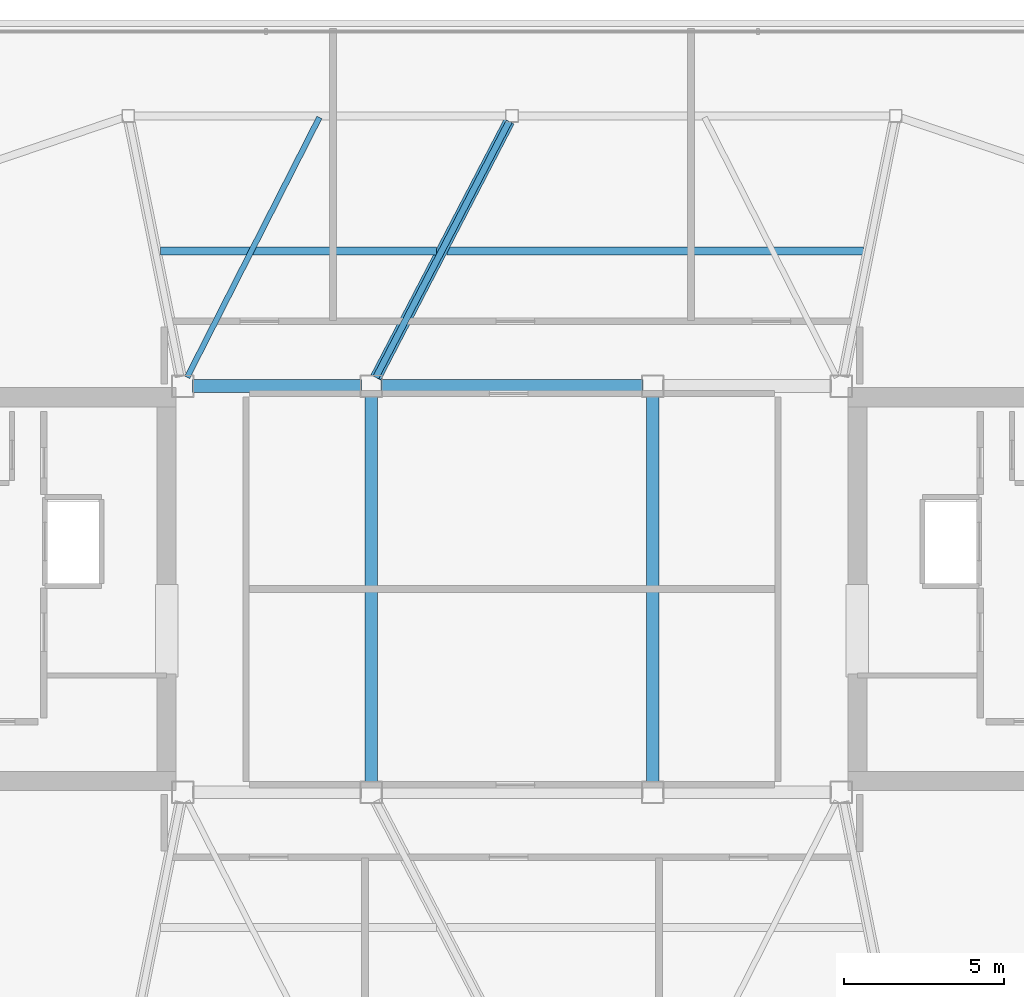
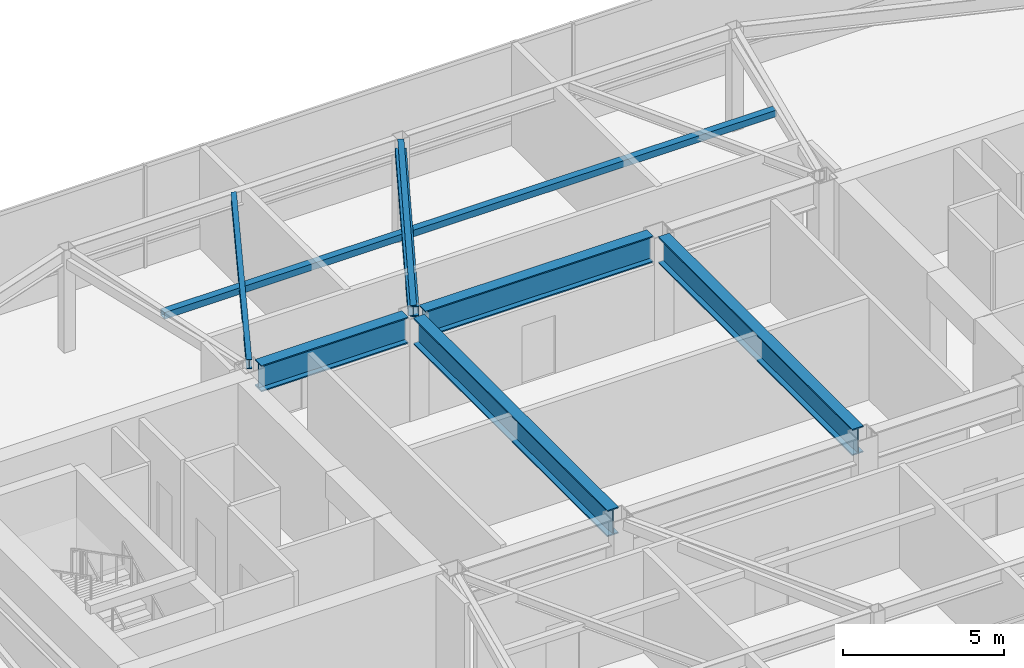
# One storey, part 8 of 22: 6 beams, 3 members.
"""IFC4 building model written with IfcOpenShell, lengths in metres."""

from ifc_helpers import new_model, si_unit, direction, frame, origin, origin_2d, place, context, subcontext, project, spatial, hollow_rectangle, i_section, extrude, material, material_profile, profile_set, type_object, element, save


model = new_model("IFC4")

# Units and contexts
model_context = context("Model", 3, precision=1e-05, world=origin(), true_north=direction((0.0, 1.0)))
body_context = subcontext(model_context, "Body", "Model", "MODEL_VIEW")
ifc_project = project(units=[si_unit("LENGTHUNIT", "METRE"), si_unit("AREAUNIT", "SQUARE_METRE"), si_unit("VOLUMEUNIT", "CUBIC_METRE"), si_unit("PLANEANGLEUNIT", "RADIAN"), si_unit("MASSUNIT", "GRAM", prefix="KILO")], contexts=[model_context])

# Site, building, storey
site_placement = place(None, origin())
site = spatial("IfcSite", under=ifc_project, at=site_placement, CompositionType="ELEMENT")
building_placement = place(site_placement, origin())
building = spatial("IfcBuilding", under=site, at=building_placement, Name="Tavrogorsk Clinical Tower", CompositionType="ELEMENT")
storey_placement = place(building_placement, frame((0.0, 0.0, 352.800048828125)))
storey = spatial("IfcBuildingStorey", under=building, at=storey_placement, Name="L82", CompositionType="ELEMENT", Elevation=352.800048828125)

# Members
ifc_material_1 = material(Name="Structural steel S355", Category="steel")
ifc_material_profile_1 = material_profile(ifc_material_1, hollow_rectangle(XDim=0.25, YDim=0.25, WallThickness=0.012451171875, at=origin_2d()), Name="SHS-250x250x12.5")
ifc_profile_set_1 = profile_set([ifc_material_profile_1], Name="Structural steel S355")
member_type_1 = type_object("IfcMemberType", Name="CrownFacetPurlin_SHS250", PredefinedType="PURLIN", material=ifc_profile_set_1)
member_1_placement = place(storey_placement, frame((-10.989990234375, 10.574951171875, 3.510009765625), z_axis=(1.0, 0.0, 0.0), x_axis=(0.0, 1.0, 0.0)))
element("IfcMember", 1, at=member_1_placement, inside=storey, type_object=member_type_1, Name="L82 Crown Facet Purlin N-1", PredefinedType="PURLIN", context=body_context, shape_type="SweptSolid", body=[
    extrude(hollow_rectangle(XDim=0.25, YDim=0.25, WallThickness=0.012451171875, at=origin_2d()), origin(), (0.0, 0.0, 1.0), 8.6298828125),
])
member_2_placement = place(storey_placement, frame((-2.0400390625, 10.574951171875, 3.510009765625), z_axis=(1.0, 0.0, 0.0), x_axis=(0.0, 1.0, 0.0)))
element("IfcMember", 2, at=member_2_placement, inside=storey, type_object=member_type_1, Name="L82 Crown Facet Purlin N-2", PredefinedType="PURLIN", context=body_context, shape_type="SweptSolid", body=[
    extrude(hollow_rectangle(XDim=0.25, YDim=0.25, WallThickness=0.012451171875, at=origin_2d()), origin(), (0.0, 0.0, 1.0), 13.030029296875),
])
ifc_material_2 = material(Name="Structural steel S390", Category="steel")
ifc_material_profile_2 = material_profile(ifc_material_2, hollow_rectangle(XDim=0.35009765625, YDim=0.35009765625, WallThickness=0.01611328125, at=origin_2d()), Name="SHS-350x350x16")
ifc_profile_set_2 = profile_set([ifc_material_profile_2], Name="Structural steel S390")
member_type_2 = type_object("IfcMemberType", Name="CrownFacetRafter_SHS350", PredefinedType="RAFTER", material=ifc_profile_set_2)
member_3_placement = place(storey_placement, frame((-4.2568359375, 6.624755859375, 3.650146484375), z_axis=(0.461609796576, 0.886524618116, -0.031472165167), x_axis=(-0.886963994611, 0.461838578146, 0.0)))
element("IfcMember", 3, at=member_3_placement, inside=storey, type_object=member_type_2, Name="L82 Sloped Facet Rafter N-2", PredefinedType="RAFTER", context=body_context, shape_type="SweptSolid", body=[
    extrude(hollow_rectangle(XDim=0.35009765625, YDim=0.35009765625, WallThickness=0.01611328125, at=origin_2d()), origin(), (0.0, 0.0, 1.0), 9.021728515625),
])

# Beams
ifc_material_3 = material(Name="Structural steel S355", Category="steel")
ifc_material_profile_3 = material_profile(ifc_material_3, i_section(OverallWidth=0.199951171875, OverallDepth=0.449951171875, WebThickness=0.011474609375, FlangeThickness=0.01806640625, at=origin_2d()), Name="B-450x200x11.5x18")
ifc_profile_set_3 = profile_set([ifc_material_profile_3], Name="Structural steel S355")
beam_type_1 = type_object("IfcBeamType", Name="FloorBeam_B450", PredefinedType="BEAM", material=ifc_profile_set_3)
beam_1_placement = place(storey_placement, frame((-4.2568359375, 6.625, 3.655029296875), z_axis=(0.461855081218, 0.886955401332, 0.0), x_axis=(-0.886955401332, 0.461855081218, 0.0)))
element("IfcBeam", 4, at=beam_1_placement, inside=storey, type_object=beam_type_1, Name="L82 Crown Radial Beam 07", PredefinedType="BEAM", context=body_context, shape_type="SweptSolid", body=[
    extrude(i_section(OverallWidth=0.199951171875, OverallDepth=0.449951171875, WebThickness=0.011474609375, FlangeThickness=0.01806640625, at=origin_2d()), origin(), (0.0, 0.0, 1.0), 9.027099609375),
])
ifc_material_4 = material(Name="Structural steel S355", Category="steel")
ifc_material_profile_4 = material_profile(ifc_material_4, i_section(OverallWidth=0.175048828125, OverallDepth=0.35009765625, WebThickness=0.009521484375, FlangeThickness=0.013916015625, at=origin_2d()), Name="B-350x175x9.5x14")
ifc_profile_set_4 = profile_set([ifc_material_profile_4], Name="Structural steel S355")
beam_type_2 = type_object("IfcBeamType", Name="SecondaryJoist_B350", PredefinedType="JOIST", material=ifc_profile_set_4)
beam_2_placement = place(storey_placement, frame((-10.159423828125, 6.626220703125, 3.704833984375), z_axis=(0.4535299827, 0.891241019474, 0.0), x_axis=(-0.891241019474, 0.4535299827, 0.0)))
element("IfcBeam", 5, at=beam_2_placement, inside=storey, type_object=beam_type_2, Name="L82 Crown Secondary Joist 03", PredefinedType="JOIST", context=body_context, shape_type="SweptSolid", body=[
    extrude(i_section(OverallWidth=0.175048828125, OverallDepth=0.35009765625, WebThickness=0.009521484375, FlangeThickness=0.013916015625, at=origin_2d()), origin(), (0.0, 0.0, 1.0), 9.12109375),
])
ifc_material_5 = material(Name="Structural steel S440", Category="steel")
ifc_material_profile_5 = material_profile(ifc_material_5, i_section(OverallWidth=0.39990234375, OverallDepth=1.0, WebThickness=0.028076171875, FlangeThickness=0.044921875, at=origin_2d()), Name="DK-1000x400x28x45")
ifc_profile_set_5 = profile_set([ifc_material_profile_5], Name="Structural steel S440")
beam_type_3 = type_object("IfcBeamType", Name="TransferGirder_DK1000", PredefinedType="USERDEFINED", material=ifc_profile_set_5)
beam_3_placement = place(storey_placement, frame((-9.989990234375, 6.35009765625, 3.3798828125), z_axis=(1.0, 0.0, 0.0), x_axis=(0.0, 1.0, 0.0)))
element("IfcBeam", 6, at=beam_3_placement, inside=storey, type_object=beam_type_3, Name="L82 Primary Spine Girder MG-02", ObjectType="GIRDER", PredefinedType="USERDEFINED", context=body_context, shape_type="SweptSolid", body=[
    extrude(i_section(OverallWidth=0.39990234375, OverallDepth=1.0, WebThickness=0.028076171875, FlangeThickness=0.044921875, at=origin_2d()), origin(), (0.0, 0.0, 1.0), 5.280029296875),
])
beam_4_placement = place(storey_placement, frame((-4.090087890625, 6.35009765625, 3.3798828125), z_axis=(1.0, 0.0, 0.0), x_axis=(0.0, 1.0, 0.0)))
element("IfcBeam", 7, at=beam_4_placement, inside=storey, type_object=beam_type_3, Name="L82 Primary Spine Girder MG-04", ObjectType="GIRDER", PredefinedType="USERDEFINED", context=body_context, shape_type="SweptSolid", body=[
    extrude(i_section(OverallWidth=0.39990234375, OverallDepth=1.0, WebThickness=0.028076171875, FlangeThickness=0.044921875, at=origin_2d()), origin(), (0.0, 0.0, 1.0), 8.18017578125),
])
for number, where, z_axis, x_axis, name in (
    (8, (-4.39990234375, -6.0400390625, 3.3798828125), (0.0, 1.0, 0.0), (-1.0, 0.0, 0.0), "L82 Primary Spine Girder MG-07"),
    (9, (4.39990234375, -6.0400390625, 3.3798828125), (0.0, 1.0, 0.0), (-1.0, 0.0, 0.0), "L82 Primary Spine Girder MG-08"),
):
    element("IfcBeam", number, at=place(storey_placement, frame(where, z_axis=z_axis, x_axis=x_axis)), inside=storey, type_object=beam_type_3, Name=name, ObjectType="GIRDER", PredefinedType="USERDEFINED", context=body_context, shape_type="SweptSolid", body=[
        extrude(i_section(OverallWidth=0.39990234375, OverallDepth=1.0, WebThickness=0.028076171875, FlangeThickness=0.044921875, at=origin_2d()), origin(), (0.0, 0.0, 1.0), 12.080078125),
    ])

save(model, "model.ifc")
